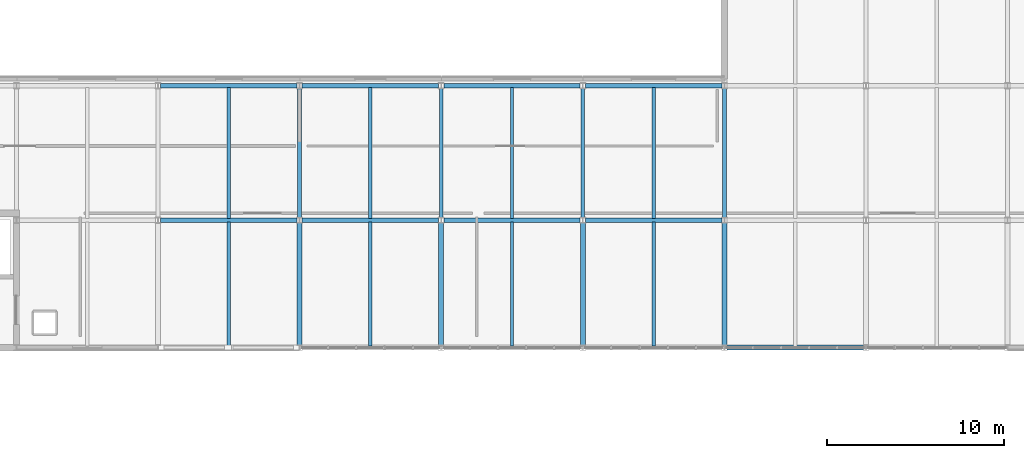
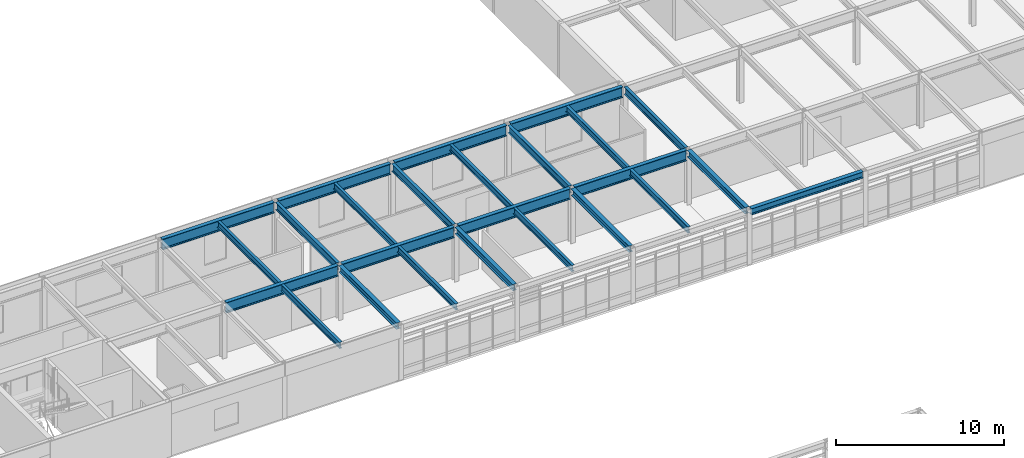
# One storey, part 24 of 45: 25 beams.
"""IFC4 building model written with IfcOpenShell, lengths in metres."""

from ifc_helpers import new_model, si_unit, direction, frame, origin, origin_2d, place, context, subcontext, project, spatial, i_section, extrude, material, material_profile, profile_set, type_object, element, save


model = new_model("IFC4")

# Units and contexts
model_context = context("Model", 3, precision=1e-05, world=origin(), true_north=direction((0.0, 1.0)))
body_context = subcontext(model_context, "Body", "Model", "MODEL_VIEW")
ifc_project = project(units=[si_unit("LENGTHUNIT", "METRE"), si_unit("AREAUNIT", "SQUARE_METRE"), si_unit("VOLUMEUNIT", "CUBIC_METRE"), si_unit("PLANEANGLEUNIT", "RADIAN"), si_unit("MASSUNIT", "GRAM", prefix="KILO")], contexts=[model_context])

# Site, building, storey
site_placement = place(None, origin())
site = spatial("IfcSite", under=ifc_project, at=site_placement, CompositionType="ELEMENT")
building_placement = place(site_placement, origin())
building = spatial("IfcBuilding", under=site, at=building_placement, Name="Zulena Civic Courthouse", CompositionType="ELEMENT")
storey_placement = place(building_placement, frame((0.0, 0.0, 29.39990234375)))
storey = spatial("IfcBuildingStorey", under=building, at=storey_placement, Name="L06", CompositionType="ELEMENT", Elevation=29.39990234375)

# Beams
ifc_material = material(Name="Steel ASTM A992 Grade 50", Category="steel")
ifc_material_profile_1 = material_profile(ifc_material, i_section(OverallWidth=0.2099609375, OverallDepth=0.537109375, WebThickness=0.010986328125, FlangeThickness=0.017333984375, FilletRadius=0.0126953125, at=origin_2d()), Name="W21X68")
ifc_profile_set_1 = profile_set([ifc_material_profile_1], Name="Steel ASTM A992 Grade 50")
beam_type_1 = type_object("IfcBeamType", Name="Girder_W21X68", PredefinedType="BEAM", material=ifc_profile_set_1)
for number, where, z_axis, x_axis, name in (
    (1, (44.0, 53.344970703125, 3.731689453125), (0.0, 1.0, 0.0), (-1.0, 0.0, 0.0), "beam:Y:V5:L06:44.0:53.2_60.8"),
    (2, (52.0, 53.344970703125, 3.731689453125), (0.0, 1.0, 0.0), (-1.0, 0.0, 0.0), "beam:Y:V5:L06:52.0:53.2_60.8"),
    (3, (60.0, 53.344970703125, 3.731689453125), (0.0, 1.0, 0.0), (-1.0, 0.0, 0.0), "beam:Y:V5:L06:60.0:53.2_60.8"),
    (4, (68.0, 53.344970703125, 3.731689453125), (0.0, 1.0, 0.0), (-1.0, 0.0, 0.0), "beam:Y:V5:L06:68.0:53.2_60.8"),
):
    element("IfcBeam", number, at=place(storey_placement, frame(where, z_axis=z_axis, x_axis=x_axis)), inside=storey, type_object=beam_type_1, Name=name, PredefinedType="BEAM", context=body_context, shape_type="SweptSolid", body=[
        extrude(i_section(OverallWidth=0.2099609375, OverallDepth=0.537109375, WebThickness=0.010986328125, FlangeThickness=0.017333984375, FilletRadius=0.0126953125, at=origin_2d()), origin(), (0.0, 0.0, 1.0), 7.31005859375),
    ])
ifc_material_profile_2 = material_profile(ifc_material, i_section(OverallWidth=0.26611328125, OverallDepth=0.779052734375, WebThickness=0.0166015625, FlangeThickness=0.030029296875, FilletRadius=0.0166015625, at=origin_2d()), Name="W30X148")
ifc_profile_set_2 = profile_set([ifc_material_profile_2], Name="Steel ASTM A992 Grade 50")
beam_type_2 = type_object("IfcBeamType", Name="Girder_W30X148", PredefinedType="BEAM", material=ifc_profile_set_2)
for number, where, z_axis, x_axis, name in (
    (5, (36.14501953125, 53.199951171875, 3.610595703125), (1.0, 0.0, 0.0), (0.0, 1.0, 0.0), "beam:X:V5:L06:53.2:36.0_44.0"),
    (6, (44.14501953125, 53.199951171875, 3.610595703125), (1.0, 0.0, 0.0), (0.0, 1.0, 0.0), "beam:X:V5:L06:53.2:44.0_52.0"),
    (7, (52.14501953125, 53.199951171875, 3.610595703125), (1.0, 0.0, 0.0), (0.0, 1.0, 0.0), "beam:X:V5:L06:53.2:52.0_60.0"),
    (8, (60.14501953125, 53.199951171875, 3.610595703125), (1.0, 0.0, 0.0), (0.0, 1.0, 0.0), "beam:X:V5:L06:53.2:60.0_68.0"),
    (9, (36.14501953125, 60.800048828125, 3.610595703125), (1.0, 0.0, 0.0), (0.0, 1.0, 0.0), "beam:X:V5:L06:60.8:36.0_44.0"),
    (10, (44.14501953125, 60.800048828125, 3.610595703125), (1.0, 0.0, 0.0), (0.0, 1.0, 0.0), "beam:X:V5:L06:60.8:44.0_52.0"),
    (11, (52.14501953125, 60.800048828125, 3.610595703125), (1.0, 0.0, 0.0), (0.0, 1.0, 0.0), "beam:X:V5:L06:60.8:52.0_60.0"),
    (12, (60.14501953125, 60.800048828125, 3.610595703125), (1.0, 0.0, 0.0), (0.0, 1.0, 0.0), "beam:X:V5:L06:60.8:60.0_68.0"),
):
    element("IfcBeam", number, at=place(storey_placement, frame(where, z_axis=z_axis, x_axis=x_axis)), inside=storey, type_object=beam_type_2, Name=name, PredefinedType="BEAM", context=body_context, shape_type="SweptSolid", body=[
        extrude(i_section(OverallWidth=0.26611328125, OverallDepth=0.779052734375, WebThickness=0.0166015625, FlangeThickness=0.030029296875, FilletRadius=0.0166015625, at=origin_2d()), origin(), (0.0, 0.0, 1.0), 7.7099609375),
    ])
ifc_material_profile_3 = material_profile(ifc_material, i_section(OverallWidth=0.19091796875, OverallDepth=0.4599609375, WebThickness=0.010009765625, FlangeThickness=0.01611328125, FilletRadius=0.01025390625, at=origin_2d()), Name="W18X55")
ifc_profile_set_3 = profile_set([ifc_material_profile_3], Name="Steel ASTM A992 Grade 50")
beam_type_3 = type_object("IfcBeamType", Name="Joist_W18X55", PredefinedType="JOIST", material=ifc_profile_set_3)
beam_1_placement = place(storey_placement, frame((40.0, 46.10498046875, 3.77001953125), z_axis=(0.0, 1.0, 0.0), x_axis=(-1.0, 0.0, 0.0)))
element("IfcBeam", 13, at=beam_1_placement, inside=storey, type_object=beam_type_3, Name="joist:V5:L06:40.00:46.0_53.2", PredefinedType="JOIST", context=body_context, shape_type="SweptSolid", body=[
    extrude(i_section(OverallWidth=0.19091796875, OverallDepth=0.4599609375, WebThickness=0.010009765625, FlangeThickness=0.01611328125, FilletRadius=0.01025390625, at=origin_2d()), origin(), (0.0, 0.0, 1.0), 6.989990234375),
])
beam_2_placement = place(storey_placement, frame((40.0, 53.304931640625, 3.77001953125), z_axis=(0.0, 1.0, 0.0), x_axis=(-1.0, 0.0, 0.0)))
element("IfcBeam", 14, at=beam_2_placement, inside=storey, type_object=beam_type_3, Name="joist:V5:L06:40.00:53.2_60.8", PredefinedType="JOIST", context=body_context, shape_type="SweptSolid", body=[
    extrude(i_section(OverallWidth=0.19091796875, OverallDepth=0.4599609375, WebThickness=0.010009765625, FlangeThickness=0.01611328125, FilletRadius=0.01025390625, at=origin_2d()), origin(), (0.0, 0.0, 1.0), 7.39013671875),
])
beam_3_placement = place(storey_placement, frame((48.0, 46.10498046875, 3.77001953125), z_axis=(0.0, 1.0, 0.0), x_axis=(-1.0, 0.0, 0.0)))
element("IfcBeam", 15, at=beam_3_placement, inside=storey, type_object=beam_type_3, Name="joist:V5:L06:48.00:46.0_53.2", PredefinedType="JOIST", context=body_context, shape_type="SweptSolid", body=[
    extrude(i_section(OverallWidth=0.19091796875, OverallDepth=0.4599609375, WebThickness=0.010009765625, FlangeThickness=0.01611328125, FilletRadius=0.01025390625, at=origin_2d()), origin(), (0.0, 0.0, 1.0), 6.989990234375),
])
beam_4_placement = place(storey_placement, frame((48.0, 53.304931640625, 3.77001953125), z_axis=(0.0, 1.0, 0.0), x_axis=(-1.0, 0.0, 0.0)))
element("IfcBeam", 16, at=beam_4_placement, inside=storey, type_object=beam_type_3, Name="joist:V5:L06:48.00:53.2_60.8", PredefinedType="JOIST", context=body_context, shape_type="SweptSolid", body=[
    extrude(i_section(OverallWidth=0.19091796875, OverallDepth=0.4599609375, WebThickness=0.010009765625, FlangeThickness=0.01611328125, FilletRadius=0.01025390625, at=origin_2d()), origin(), (0.0, 0.0, 1.0), 7.39013671875),
])
beam_5_placement = place(storey_placement, frame((56.0, 46.10498046875, 3.77001953125), z_axis=(0.0, 1.0, 0.0), x_axis=(-1.0, 0.0, 0.0)))
element("IfcBeam", 17, at=beam_5_placement, inside=storey, type_object=beam_type_3, Name="joist:V5:L06:56.00:46.0_53.2", PredefinedType="JOIST", context=body_context, shape_type="SweptSolid", body=[
    extrude(i_section(OverallWidth=0.19091796875, OverallDepth=0.4599609375, WebThickness=0.010009765625, FlangeThickness=0.01611328125, FilletRadius=0.01025390625, at=origin_2d()), origin(), (0.0, 0.0, 1.0), 6.989990234375),
])
beam_6_placement = place(storey_placement, frame((56.0, 53.304931640625, 3.77001953125), z_axis=(0.0, 1.0, 0.0), x_axis=(-1.0, 0.0, 0.0)))
element("IfcBeam", 18, at=beam_6_placement, inside=storey, type_object=beam_type_3, Name="joist:V5:L06:56.00:53.2_60.8", PredefinedType="JOIST", context=body_context, shape_type="SweptSolid", body=[
    extrude(i_section(OverallWidth=0.19091796875, OverallDepth=0.4599609375, WebThickness=0.010009765625, FlangeThickness=0.01611328125, FilletRadius=0.01025390625, at=origin_2d()), origin(), (0.0, 0.0, 1.0), 7.39013671875),
])
beam_7_placement = place(storey_placement, frame((64.0, 46.10498046875, 3.77001953125), z_axis=(0.0, 1.0, 0.0), x_axis=(-1.0, 0.0, 0.0)))
element("IfcBeam", 19, at=beam_7_placement, inside=storey, type_object=beam_type_3, Name="joist:V5:L06:64.00:46.0_53.2", PredefinedType="JOIST", context=body_context, shape_type="SweptSolid", body=[
    extrude(i_section(OverallWidth=0.19091796875, OverallDepth=0.4599609375, WebThickness=0.010009765625, FlangeThickness=0.01611328125, FilletRadius=0.01025390625, at=origin_2d()), origin(), (0.0, 0.0, 1.0), 6.989990234375),
])
beam_8_placement = place(storey_placement, frame((64.0, 53.304931640625, 3.77001953125), z_axis=(0.0, 1.0, 0.0), x_axis=(-1.0, 0.0, 0.0)))
element("IfcBeam", 20, at=beam_8_placement, inside=storey, type_object=beam_type_3, Name="joist:V5:L06:64.00:53.2_60.8", PredefinedType="JOIST", context=body_context, shape_type="SweptSolid", body=[
    extrude(i_section(OverallWidth=0.19091796875, OverallDepth=0.4599609375, WebThickness=0.010009765625, FlangeThickness=0.01611328125, FilletRadius=0.01025390625, at=origin_2d()), origin(), (0.0, 0.0, 1.0), 7.39013671875),
])
ifc_material_profile_4 = material_profile(ifc_material, i_section(OverallWidth=0.280029296875, OverallDepth=0.462890625, WebThickness=0.0107421875, FlangeThickness=0.017333984375, FilletRadius=0.01025390625, at=origin_2d()), Name="W18X76")
ifc_profile_set_4 = profile_set([ifc_material_profile_4], Name="Steel ASTM A992 Grade 50")
beam_type_4 = type_object("IfcBeamType", Name="Spandrel_W18X76", PredefinedType="SPANDREL", material=ifc_profile_set_4)
beam_9_placement = place(storey_placement, frame((68.14501953125, 46.0, 3.7685546875), z_axis=(1.0, 0.0, 0.0), x_axis=(0.0, 1.0, 0.0)))
element("IfcBeam", 21, at=beam_9_placement, inside=storey, type_object=beam_type_4, Name="beam:X:V5:L06:46.0:68.0_76.0", PredefinedType="SPANDREL", context=body_context, shape_type="SweptSolid", body=[
    extrude(i_section(OverallWidth=0.280029296875, OverallDepth=0.462890625, WebThickness=0.0107421875, FlangeThickness=0.017333984375, FilletRadius=0.01025390625, at=origin_2d()), origin(), (0.0, 0.0, 1.0), 7.7099609375),
])
for number, where, z_axis, x_axis, name in (
    (22, (44.0, 46.14501953125, 3.7685546875), (0.0, 1.0, 0.0), (-1.0, 0.0, 0.0), "beam:Y:V5:L06:44.0:46.0_53.2"),
    (23, (52.0, 46.14501953125, 3.7685546875), (0.0, 1.0, 0.0), (-1.0, 0.0, 0.0), "beam:Y:V5:L06:52.0:46.0_53.2"),
    (24, (60.0, 46.14501953125, 3.7685546875), (0.0, 1.0, 0.0), (-1.0, 0.0, 0.0), "beam:Y:V5:L06:60.0:46.0_53.2"),
    (25, (68.0, 46.14501953125, 3.7685546875), (0.0, 1.0, 0.0), (-1.0, 0.0, 0.0), "beam:Y:V5:L06:68.0:46.0_53.2"),
):
    element("IfcBeam", number, at=place(storey_placement, frame(where, z_axis=z_axis, x_axis=x_axis)), inside=storey, type_object=beam_type_4, Name=name, PredefinedType="SPANDREL", context=body_context, shape_type="SweptSolid", body=[
        extrude(i_section(OverallWidth=0.280029296875, OverallDepth=0.462890625, WebThickness=0.0107421875, FlangeThickness=0.017333984375, FilletRadius=0.01025390625, at=origin_2d()), origin(), (0.0, 0.0, 1.0), 6.909912109375),
    ])

save(model, "model.ifc")
